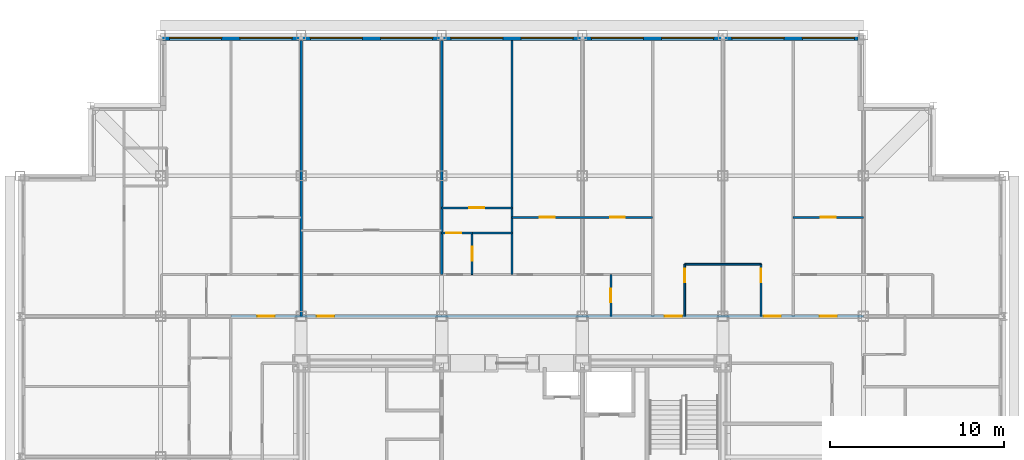
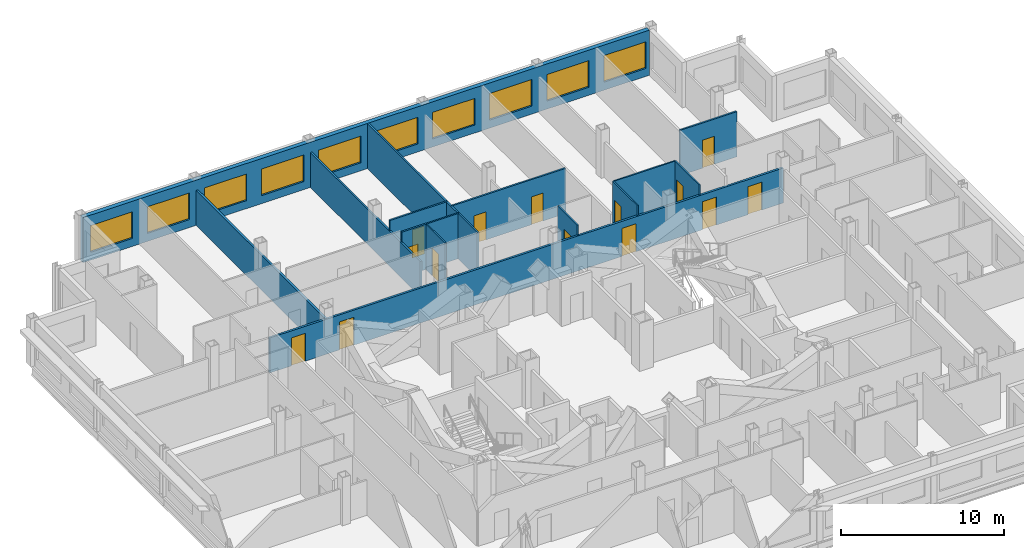
# One storey, part 10 of 12: 15 walls, 14 doors, 10 windows, 24 openings.
"""IFC4 building model written with IfcOpenShell, lengths in metres."""

import ifcopenshell
import ifcopenshell.guid

model = None  # the IFC model being written
_history = None  # IfcOwnerHistory: only IFC2X3 demands one
_inside = {}  # id of a spatial element -> (the spatial element, [elements in it])
_under = {}  # id of a project, library or spatial element -> (it, [spatial elements below it])
_declared = {}  # id of a project -> (the project, [libraries it declares])
_typed = {}  # id of a type object -> (the type object, [elements of that type])
_made_of = {}  # id of a material, layer set ... -> (it, [elements and type objects made of it])


def new_model(schema):
    """Start an empty IFC model of exactly this schema.

    Asked for "IFC4X3", IfcOpenShell would pick the latest addendum, in which some entities
    have other attributes; the version numbers below select the first issue.
    IFC2X3 requires an IfcOwnerHistory on every rooted entity: one is made here for all.
    """
    global model, _history
    if schema == "IFC4X3":
        model = ifcopenshell.file(schema_version=(4, 3, 0, 0))
    else:
        model = ifcopenshell.file(schema=schema)
    _inside.clear()
    _under.clear()
    _declared.clear()
    _typed.clear()
    _made_of.clear()
    _history = None
    if model.schema == "IFC2X3":
        org = make("IfcOrganization", Name="unknown")
        user = make(
            "IfcPersonAndOrganization",
            ThePerson=make("IfcPerson", FamilyName="unknown"),
            TheOrganization=org,
        )
        app = make(
            "IfcApplication",
            ApplicationDeveloper=org,
            Version="unknown",
            ApplicationFullName="unknown",
            ApplicationIdentifier="unknown",
        )
        _history = make(
            "IfcOwnerHistory",
            OwningUser=user,
            OwningApplication=app,
            ChangeAction="ADDED",
            CreationDate=0,
        )
    return model


def make(cls, **values):
    """One entity of the class cls with the attributes given. An attribute that is None is left unset."""
    return model.create_entity(
        cls, **{name: value for name, value in values.items() if value is not None}
    )


def rooted(cls, **values):
    """An entity with a GlobalId (a new one), such as an element, a storey or a relation."""
    return make(cls, GlobalId=ifcopenshell.guid.new(), OwnerHistory=_history, **values)


def si_unit(unit_type, name, prefix=None):
    """IfcSIUnit, for example si_unit("LENGTHUNIT", "METRE", prefix="MILLI")."""
    return make("IfcSIUnit", UnitType=unit_type, Prefix=prefix, Name=name)


def assignment(units):
    """IfcUnitAssignment: the units of a project."""
    return None if units is None else make("IfcUnitAssignment", Units=units)


def point(xyz):
    """IfcCartesianPoint."""
    return None if xyz is None else make("IfcCartesianPoint", Coordinates=xyz)


def direction(xyz):
    """IfcDirection."""
    return None if xyz is None else make("IfcDirection", DirectionRatios=xyz)


def frame(location, z_axis=None, x_axis=None):
    """IfcAxis2Placement3D, a coordinate frame: its origin and axes. An axis left out is left unset."""
    return make(
        "IfcAxis2Placement3D",
        Location=point(location),
        Axis=direction(z_axis),
        RefDirection=direction(x_axis),
    )


def frame_2d(location, x_axis=None):
    """IfcAxis2Placement2D, a coordinate frame in the plane: its origin and x axis."""
    return make(
        "IfcAxis2Placement2D", Location=point(location), RefDirection=direction(x_axis)
    )


def origin():
    """The frame at (0, 0, 0) with its axes left unset."""
    return frame((0.0, 0.0, 0.0))


def place(relative_to, where):
    """IfcLocalPlacement: puts the frame where relative to a parent placement (None: the world)."""
    return make(
        "IfcLocalPlacement", PlacementRelTo=relative_to, RelativePlacement=where
    )


def context(
    kind, dimensions, precision=None, world=None, true_north=None, identifier=None
):
    """IfcGeometricRepresentationContext, for example the 3D "Model" context."""
    return make(
        "IfcGeometricRepresentationContext",
        ContextIdentifier=identifier,
        ContextType=kind,
        CoordinateSpaceDimension=dimensions,
        Precision=precision,
        WorldCoordinateSystem=world,
        TrueNorth=true_north,
    )


def subcontext(parent, identifier, kind, view, scale=None):
    """IfcGeometricRepresentationSubContext, for example "Body" below "Model"."""
    return make(
        "IfcGeometricRepresentationSubContext",
        ContextIdentifier=identifier,
        ContextType=kind,
        ParentContext=parent,
        TargetScale=scale,
        TargetView=view,
    )


def project(units=None, contexts=None):
    """IfcProject with its units and contexts."""
    return rooted(
        "IfcProject",
        Name="project",
        RepresentationContexts=contexts,
        UnitsInContext=assignment(units),
    )


def spatial(cls, under=None, at=None, **own):
    """A site, building, storey or space (cls), placed at a placement, below another one or the project."""
    s = rooted(cls, ObjectPlacement=at, **own)
    if under is not None:
        _under.setdefault(under.id(), (under, []))[1].append(s)
    return s


def profile(cls, at=None, kind="AREA", **sizes):
    """A parametric profile (cls). Its sizes go by their IFC names, for example OverallWidth=200.0."""
    return make(cls, ProfileType=kind, Position=at, **sizes)


def rectangle(**sizes):
    """IfcRectangleProfileDef."""
    return profile("IfcRectangleProfileDef", **sizes)


def extrude(swept, where, along, depth):
    """IfcExtrudedAreaSolid: the profile swept, set in the frame where, extruded along a direction by depth."""
    return make(
        "IfcExtrudedAreaSolid",
        SweptArea=swept,
        Position=where,
        ExtrudedDirection=direction(along),
        Depth=depth,
    )


def shape(context_of_items, identifier, shape_type, items):
    """IfcShapeRepresentation: the items that make up one representation, for example the "Body"."""
    return make(
        "IfcShapeRepresentation",
        ContextOfItems=context_of_items,
        RepresentationIdentifier=identifier,
        RepresentationType=shape_type,
        Items=items,
    )


def material(Name=None, Category=None):
    """IfcMaterial."""
    return make("IfcMaterial", Name=Name, Category=Category)


def layer(
    of_material, thickness, ventilated=None, Name=None, Category=None, Priority=None
):
    """IfcMaterialLayer: one layer of a wall or slab, of a material (None: an air gap)."""
    return make(
        "IfcMaterialLayer",
        Material=of_material,
        LayerThickness=thickness,
        IsVentilated=ventilated,
        Name=Name,
        Category=Category,
        Priority=Priority,
    )


def layer_set(layers, Name=None):
    """IfcMaterialLayerSet."""
    return make("IfcMaterialLayerSet", MaterialLayers=layers, LayerSetName=Name)


def made_of(thing, what):
    """Note that an element or type object is made of a material, layer set ...; save() writes the relation."""
    if what is not None:
        _made_of.setdefault(what.id(), (what, []))[1].append(thing)
    return thing


def type_object(cls, material=None, **own):
    """A type object (cls), such as IfcWallType, which elements share."""
    return made_of(rooted(cls, **own), material)


def element(
    cls,
    number,
    at=None,
    inside=None,
    cuts=None,
    type_object=None,
    material=None,
    context=None,
    identifier="Body",
    shape_type=None,
    held_by="IfcProductDefinitionShape",
    body=None,
    shapes=None,
    **own,
):
    """One element of the class cls, such as IfcWall. Its Tag is "e" and its number.

    at: its placement. inside: the storey or other place that contains it. cuts: it is an
    opening in that element (IfcRelVoidsElement). A single representation is given by context,
    identifier, shape_type and body (its items); several are given by shapes. held_by: the class
    of the entity that holds the representations. save() writes the other relations.
    """
    e = rooted(cls, Tag="e%d" % number, ObjectPlacement=at, **own)
    if body is not None:
        shapes = [shape(context, identifier, shape_type, body)]
    if shapes is not None:
        e.Representation = make(held_by, Representations=shapes)
    if inside is not None:
        _inside.setdefault(inside.id(), (inside, []))[1].append(e)
    if cuts is not None:
        rooted(
            "IfcRelVoidsElement", RelatingBuildingElement=cuts, RelatedOpeningElement=e
        )
    if type_object is not None:
        _typed.setdefault(type_object.id(), (type_object, []))[1].append(e)
    return made_of(e, material)


def fill(opening, filler):
    """IfcRelFillsElement: the door or window that sits in an opening."""
    return rooted(
        "IfcRelFillsElement",
        RelatingOpeningElement=opening,
        RelatedBuildingElement=filler,
    )


def aggregate(whole, parts):
    """IfcRelAggregates: a whole, such as a stair, and the parts it consists of."""
    return rooted("IfcRelAggregates", RelatingObject=whole, RelatedObjects=parts)


def save(model, path):
    """Write the relations noted so far, then the file.

    IfcRelAggregates (storeys below a building ...), IfcRelContainedInSpatialStructure (elements
    in a storey), IfcRelDefinesByType, IfcRelAssociatesMaterial and IfcRelDeclares: one each for
    every whole, place, type object, material and project.
    """
    for whole, parts in _under.values():
        aggregate(whole, parts)
    for where, things in _inside.values():
        rooted(
            "IfcRelContainedInSpatialStructure",
            RelatedElements=things,
            RelatingStructure=where,
        )
    for kind, things in _typed.values():
        rooted("IfcRelDefinesByType", RelatedObjects=things, RelatingType=kind)
    for what, things in _made_of.values():
        rooted("IfcRelAssociatesMaterial", RelatedObjects=things, RelatingMaterial=what)
    for by, libraries in _declared.values():
        rooted("IfcRelDeclares", RelatingContext=by, RelatedDefinitions=libraries)
    model.write(path)


model = new_model("IFC4")

# Units and contexts
model_context = context("Model", 3, precision=1e-05, world=origin(), true_north=direction((0.0, 1.0)))
body_context = subcontext(model_context, "Body", "Model", "MODEL_VIEW")
ifc_project = project(units=[si_unit("LENGTHUNIT", "METRE"), si_unit("AREAUNIT", "SQUARE_METRE"), si_unit("VOLUMEUNIT", "CUBIC_METRE"), si_unit("PLANEANGLEUNIT", "RADIAN"), si_unit("MASSUNIT", "GRAM", prefix="KILO")], contexts=[model_context])

# Site, building, storey
site_placement = place(None, origin())
site = spatial("IfcSite", under=ifc_project, at=site_placement, CompositionType="ELEMENT")
building_placement = place(site_placement, origin())
building = spatial("IfcBuilding", under=site, at=building_placement, Name="Kopane Lantern Tower", CompositionType="ELEMENT")
storey_placement = place(building_placement, frame((0.0, 0.0, 220.800048828125)))
storey = spatial("IfcBuildingStorey", under=building, at=storey_placement, Name="L57", CompositionType="ELEMENT", Elevation=220.800048828125)

# Walls
ifc_material_1 = material(Name="Gypsum board on steel studs", Category="steel")
ifc_layer_1 = layer(ifc_material_1, 0.1201171875)
ifc_layer_set_1 = layer_set([ifc_layer_1], Name="APARTMENT INTERNAL WALL 120")
wall_type_1 = type_object("IfcWallType", Name="APARTMENT INTERNAL WALL 120", PredefinedType="PARTITIONING", material=ifc_layer_set_1)
wall_1_placement = place(storey_placement, frame((24.300048828125, 45.60009765625, 0.0), z_axis=(0.0, 0.0, 1.0), x_axis=(0.0, 1.0, 0.0)))
element("IfcWall", 1, at=wall_1_placement, inside=storey, type_object=wall_type_1, Name="Apartment Internal Wall 120 L57", PredefinedType="PARTITIONING", context=body_context, shape_type="SweptSolid", body=[
    extrude(rectangle(XDim=13.5, YDim=0.1201171875, at=frame_2d((6.75, 0.0))), origin(), (0.0, 0.0, 1.0), 2.627685546875),
])
wall_2_placement = place(storey_placement, frame((28.35009765625, 45.60009765625, 0.0), z_axis=(0.0, 0.0, 1.0), x_axis=(0.0, 1.0, 0.0)))
element("IfcWall", 2, at=wall_2_placement, inside=storey, type_object=wall_type_1, Name="Apartment Internal Wall 120 L57", PredefinedType="PARTITIONING", context=body_context, shape_type="SweptSolid", body=[
    extrude(rectangle(XDim=13.5, YDim=0.1201171875, at=frame_2d((6.75, 0.0))), origin(), (0.0, 0.0, 1.0), 3.389892578125),
])

# Wall, opening, door
wall_3_placement = place(storey_placement, frame((24.300048828125, 48.0, 0.0), z_axis=(0.0, 0.0, 1.0), x_axis=(1.0, 0.0, 0.0)))
wall_3 = element("IfcWall", 3, at=wall_3_placement, inside=storey, type_object=wall_type_1, Name="Apartment Internal Wall 120 L57", PredefinedType="PARTITIONING", context=body_context, shape_type="SweptSolid", body=[
    extrude(rectangle(XDim=1.760009765625, YDim=0.1201171875, at=frame_2d((0.8798828125, 0.0))), origin(), (0.0, 0.0, 1.0), 3.389892578125),
])
opening_1_placement = place(wall_3_placement, frame((0.27490234375, 0.0, 0.0)))
opening_1 = element("IfcOpeningElement", 4, at=opening_1_placement, cuts=wall_3, Name="Opening L57-070", PredefinedType="OPENING", context=body_context, shape_type="SweptSolid", body=[
    extrude(rectangle(XDim=0.85009765625, YDim=2.10009765625, at=frame_2d((0.425048828125, 1.050048828125))), frame((0.0, 0.070068359375, 0.0), z_axis=(0.0, -1.0, 0.0), x_axis=(1.0, 0.0, 0.0)), (0.0, 0.0, 1.0), 0.14013671875),
])
ifc_material_2 = material(Name="Timber door set", Category="wood")
door_type_1 = type_object("IfcDoorType", Name="DOOR D4 850x2100", OperationType="SINGLE_SWING_LEFT", PredefinedType="DOOR", material=ifc_material_2)
door_1_placement = place(opening_1_placement, origin())
door_1 = element("IfcDoor", 5, at=door_1_placement, inside=storey, type_object=door_type_1, Name="Door L57-070", OperationType="SINGLE_SWING_LEFT", OverallHeight=2.10009765625, OverallWidth=0.85009765625, PredefinedType="DOOR", context=body_context, shape_type="SweptSolid", body=[
    extrude(rectangle(XDim=0.85009765625, YDim=2.10009765625, at=frame_2d((0.425048828125, 1.050048828125))), frame((0.0, 0.02490234375, 0.0), z_axis=(0.0, -1.0, 0.0), x_axis=(1.0, 0.0, 0.0)), (0.0, 0.0, 1.0), 0.050048828125),
])
fill(opening_1, door_1)

wall_4_placement = place(storey_placement, frame((24.300048828125, 49.449951171875, 0.0), z_axis=(0.0, 0.0, 1.0), x_axis=(1.0, 0.0, 0.0)))
wall_4 = element("IfcWall", 6, at=wall_4_placement, inside=storey, type_object=wall_type_1, Name="Apartment Internal Wall 120 L57", PredefinedType="PARTITIONING", context=body_context, shape_type="SweptSolid", body=[
    extrude(rectangle(XDim=4.050048828125, YDim=0.1201171875, at=frame_2d((2.02490234375, 0.0))), origin(), (0.0, 0.0, 1.0), 3.389892578125),
])
opening_2_placement = place(wall_4_placement, frame((1.60009765625, 0.0, 0.0)))
opening_2 = element("IfcOpeningElement", 7, at=opening_2_placement, cuts=wall_4, Name="Opening L57-074", PredefinedType="OPENING", context=body_context, shape_type="SweptSolid", body=[
    extrude(rectangle(XDim=0.85009765625, YDim=2.10009765625, at=frame_2d((0.425048828125, 1.050048828125))), frame((0.0, 0.070068359375, 0.0), z_axis=(0.0, -1.0, 0.0), x_axis=(1.0, 0.0, 0.0)), (0.0, 0.0, 1.0), 0.14013671875),
])
door_2_placement = place(opening_2_placement, origin())
door_2 = element("IfcDoor", 8, at=door_2_placement, inside=storey, type_object=door_type_1, Name="Door L57-074", OperationType="SINGLE_SWING_RIGHT", OverallHeight=2.10009765625, OverallWidth=0.85009765625, PredefinedType="DOOR", context=body_context, shape_type="SweptSolid", body=[
    extrude(rectangle(XDim=0.85009765625, YDim=2.10009765625, at=frame_2d((0.425048828125, 1.050048828125))), frame((0.0, 0.02490234375, 0.0), z_axis=(0.0, -1.0, 0.0), x_axis=(1.0, 0.0, 0.0)), (0.0, 0.0, 1.0), 0.050048828125),
])
fill(opening_2, door_2)

# Wall, openings, doors
wall_5_placement = place(storey_placement, frame((28.35009765625, 48.89990234375, 0.0), z_axis=(0.0, 0.0, 1.0), x_axis=(1.0, 0.0, 0.0)))
wall_5 = element("IfcWall", 9, at=wall_5_placement, inside=storey, type_object=wall_type_1, Name="Apartment Internal Wall 120 L57", PredefinedType="PARTITIONING", context=body_context, shape_type="SweptSolid", body=[
    extrude(rectangle(XDim=8.099853515625, YDim=0.1201171875, at=frame_2d((4.0498046875, 0.0))), origin(), (0.0, 0.0, 1.0), 3.389892578125),
])
opening_3_placement = place(wall_5_placement, frame((1.60009765625, 0.0, 0.0)))
opening_3 = element("IfcOpeningElement", 10, at=opening_3_placement, cuts=wall_5, Name="Opening L57-075", PredefinedType="OPENING", context=body_context, shape_type="SweptSolid", body=[
    extrude(rectangle(XDim=0.85009765625, YDim=2.10009765625, at=frame_2d((0.425048828125, 1.050048828125))), frame((0.0, 0.070068359375, 0.0), z_axis=(0.0, -1.0, 0.0), x_axis=(1.0, 0.0, 0.0)), (0.0, 0.0, 1.0), 0.14013671875),
])
opening_4_placement = place(wall_5_placement, frame((5.64990234375, 0.0, 0.0)))
opening_4 = element("IfcOpeningElement", 11, at=opening_4_placement, cuts=wall_5, Name="Opening L57-076", PredefinedType="OPENING", context=body_context, shape_type="SweptSolid", body=[
    extrude(rectangle(XDim=0.85009765625, YDim=2.10009765625, at=frame_2d((0.425048828125, 1.050048828125))), frame((0.0, 0.070068359375, 0.0), z_axis=(0.0, -1.0, 0.0), x_axis=(1.0, 0.0, 0.0)), (0.0, 0.0, 1.0), 0.14013671875),
])
door_3_placement = place(opening_3_placement, origin())
door_3 = element("IfcDoor", 12, at=door_3_placement, inside=storey, type_object=door_type_1, Name="Door L57-075", OperationType="SINGLE_SWING_RIGHT", OverallHeight=2.10009765625, OverallWidth=0.85009765625, PredefinedType="DOOR", context=body_context, shape_type="SweptSolid", body=[
    extrude(rectangle(XDim=0.85009765625, YDim=2.10009765625, at=frame_2d((0.425048828125, 1.050048828125))), frame((0.0, 0.02490234375, 0.0), z_axis=(0.0, -1.0, 0.0), x_axis=(1.0, 0.0, 0.0)), (0.0, 0.0, 1.0), 0.050048828125),
])
fill(opening_3, door_3)
door_4_placement = place(opening_4_placement, origin())
door_4 = element("IfcDoor", 13, at=door_4_placement, inside=storey, type_object=door_type_1, Name="Door L57-076", OperationType="SINGLE_SWING_LEFT", OverallHeight=2.10009765625, OverallWidth=0.85009765625, PredefinedType="DOOR", context=body_context, shape_type="SweptSolid", body=[
    extrude(rectangle(XDim=0.85009765625, YDim=2.10009765625, at=frame_2d((0.425048828125, 1.050048828125))), frame((0.0, 0.02490234375, 0.0), z_axis=(0.0, -1.0, 0.0), x_axis=(1.0, 0.0, 0.0)), (0.0, 0.0, 1.0), 0.050048828125),
])
fill(opening_4, door_4)

# Wall, opening, door
wall_6_placement = place(storey_placement, frame((44.550048828125, 48.89990234375, 0.0), z_axis=(0.0, 0.0, 1.0), x_axis=(1.0, 0.0, 0.0)))
wall_6 = element("IfcWall", 14, at=wall_6_placement, inside=storey, type_object=wall_type_1, Name="Apartment Internal Wall 120 L57", PredefinedType="PARTITIONING", context=body_context, shape_type="SweptSolid", body=[
    extrude(rectangle(XDim=4.050048828125, YDim=0.1201171875, at=frame_2d((2.02490234375, 0.0))), origin(), (0.0, 0.0, 1.0), 3.389892578125),
])
opening_5_placement = place(wall_6_placement, frame((1.60009765625, 0.0, 0.0)))
opening_5 = element("IfcOpeningElement", 15, at=opening_5_placement, cuts=wall_6, Name="Opening L57-077", PredefinedType="OPENING", context=body_context, shape_type="SweptSolid", body=[
    extrude(rectangle(XDim=0.85009765625, YDim=2.10009765625, at=frame_2d((0.425048828125, 1.050048828125))), frame((0.0, 0.070068359375, 0.0), z_axis=(0.0, -1.0, 0.0), x_axis=(1.0, 0.0, 0.0)), (0.0, 0.0, 1.0), 0.14013671875),
])
door_5_placement = place(opening_5_placement, origin())
door_5 = element("IfcDoor", 16, at=door_5_placement, inside=storey, type_object=door_type_1, Name="Door L57-077", OperationType="SINGLE_SWING_RIGHT", OverallHeight=2.10009765625, OverallWidth=0.85009765625, PredefinedType="DOOR", context=body_context, shape_type="SweptSolid", body=[
    extrude(rectangle(XDim=0.85009765625, YDim=2.10009765625, at=frame_2d((0.425048828125, 1.050048828125))), frame((0.0, 0.02490234375, 0.0), z_axis=(0.0, -1.0, 0.0), x_axis=(1.0, 0.0, 0.0)), (0.0, 0.0, 1.0), 0.050048828125),
])
fill(opening_5, door_5)

ifc_material_3 = material(Name="Moisture-resistant board on steel studs", Category="steel")
ifc_layer_2 = layer(ifc_material_3, 0.10009765625)
ifc_layer_set_2 = layer_set([ifc_layer_2], Name="BATHROOM WALL 100")
wall_type_2 = type_object("IfcWallType", Name="BATHROOM WALL 100", PredefinedType="PARTITIONING", material=ifc_layer_set_2)
wall_7_placement = place(storey_placement, frame((34.050048828125, 43.199951171875, 0.0), z_axis=(0.0, 0.0, 1.0), x_axis=(0.0, 1.0, 0.0)))
wall_7 = element("IfcWall", 17, at=wall_7_placement, inside=storey, type_object=wall_type_2, Name="Bathroom Wall 100 L57", PredefinedType="PARTITIONING", context=body_context, shape_type="SweptSolid", body=[
    extrude(rectangle(XDim=2.400146484375, YDim=0.10009765625, at=frame_2d((1.2001953125, 0.0))), origin(), (0.0, 0.0, 1.0), 3.389892578125),
])
opening_6_placement = place(wall_7_placement, frame((0.800048828125, 0.0, 0.0)))
opening_6 = element("IfcOpeningElement", 18, at=opening_6_placement, cuts=wall_7, Name="Opening L57-024", PredefinedType="OPENING", context=body_context, shape_type="SweptSolid", body=[
    extrude(rectangle(XDim=0.800048828125, YDim=2.10009765625, at=frame_2d((0.39990234375, 1.050048828125))), frame((0.0, 0.06005859375, 0.0), z_axis=(0.0, -1.0, 0.0), x_axis=(1.0, 0.0, 0.0)), (0.0, 0.0, 1.0), 0.1201171875),
])
ifc_material_4 = material(Name="Timber door set", Category="wood")
door_type_2 = type_object("IfcDoorType", Name="DOOR D2 800x2100", OperationType="SINGLE_SWING_LEFT", PredefinedType="DOOR", material=ifc_material_4)
door_6_placement = place(opening_6_placement, origin())
door_6 = element("IfcDoor", 19, at=door_6_placement, inside=storey, type_object=door_type_2, Name="Door L57-024", OperationType="SINGLE_SWING_RIGHT", OverallHeight=2.10009765625, OverallWidth=0.800048828125, PredefinedType="DOOR", context=body_context, shape_type="SweptSolid", body=[
    extrude(rectangle(XDim=0.800048828125, YDim=2.10009765625, at=frame_2d((0.39990234375, 1.050048828125))), frame((0.0, 0.02490234375, 0.0), z_axis=(0.0, -1.0, 0.0), x_axis=(1.0, 0.0, 0.0)), (0.0, 0.0, 1.0), 0.050048828125),
])
fill(opening_6, door_6)

wall_8_placement = place(storey_placement, frame((26.050048828125, 45.60009765625, 0.0), z_axis=(0.0, 0.0, 1.0), x_axis=(0.0, 1.0, 0.0)))
wall_8 = element("IfcWall", 20, at=wall_8_placement, inside=storey, type_object=wall_type_2, Name="Bathroom Wall 100 L57", PredefinedType="PARTITIONING", context=body_context, shape_type="SweptSolid", body=[
    extrude(rectangle(XDim=2.39990234375, YDim=0.10009765625, at=frame_2d((1.199951171875, 0.0))), origin(), (0.0, 0.0, 1.0), 3.389892578125),
])
opening_7_placement = place(wall_8_placement, frame((0.800048828125, 0.0, 0.0)))
opening_7 = element("IfcOpeningElement", 21, at=opening_7_placement, cuts=wall_8, Name="Opening L57-027", PredefinedType="OPENING", context=body_context, shape_type="SweptSolid", body=[
    extrude(rectangle(XDim=0.800048828125, YDim=2.10009765625, at=frame_2d((0.39990234375, 1.050048828125))), frame((0.0, 0.06005859375, 0.0), z_axis=(0.0, -1.0, 0.0), x_axis=(1.0, 0.0, 0.0)), (0.0, 0.0, 1.0), 0.1201171875),
])
door_7_placement = place(opening_7_placement, origin())
door_7 = element("IfcDoor", 22, at=door_7_placement, inside=storey, type_object=door_type_2, Name="Door L57-027", OperationType="SINGLE_SWING_RIGHT", OverallHeight=2.10009765625, OverallWidth=0.800048828125, PredefinedType="DOOR", context=body_context, shape_type="SweptSolid", body=[
    extrude(rectangle(XDim=0.800048828125, YDim=2.10009765625, at=frame_2d((0.39990234375, 1.050048828125))), frame((0.0, 0.02490234375, 0.0), z_axis=(0.0, -1.0, 0.0), x_axis=(1.0, 0.0, 0.0)), (0.0, 0.0, 1.0), 0.050048828125),
])
fill(opening_7, door_7)

# Walls
wall_9_placement = place(storey_placement, frame((26.050048828125, 48.0, 0.0), z_axis=(0.0, 0.0, 1.0), x_axis=(1.0, 0.0, 0.0)))
element("IfcWall", 23, at=wall_9_placement, inside=storey, type_object=wall_type_2, Name="Bathroom Wall 100 L57", PredefinedType="PARTITIONING", context=body_context, shape_type="SweptSolid", body=[
    extrude(rectangle(XDim=2.300048828125, YDim=0.10009765625, at=frame_2d((1.14990234375, 0.0))), origin(), (0.0, 0.0, 1.0), 3.389892578125),
])
wall_10_placement = place(storey_placement, frame((38.300048828125, 46.199951171875, 0.0), z_axis=(0.0, 0.0, 1.0), x_axis=(1.0, 0.0, 0.0)))
element("IfcWall", 24, at=wall_10_placement, inside=storey, type_object=wall_type_2, Name="Bathroom Wall 100 L57", PredefinedType="PARTITIONING", context=body_context, shape_type="SweptSolid", body=[
    extrude(rectangle(XDim=4.39990234375, YDim=0.10009765625, at=frame_2d((2.199951171875, 0.0))), origin(), (0.0, 0.0, 1.0), 3.389892578125),
])

# Wall, opening, door
wall_11_placement = place(storey_placement, frame((38.300048828125, 43.199951171875, 0.0), z_axis=(0.0, 0.0, 1.0), x_axis=(0.0, 1.0, 0.0)))
wall_11 = element("IfcWall", 25, at=wall_11_placement, inside=storey, type_object=wall_type_2, Name="Bathroom Wall 100 L57", PredefinedType="PARTITIONING", context=body_context, shape_type="SweptSolid", body=[
    extrude(rectangle(XDim=3.0, YDim=0.10009765625, at=frame_2d((1.5, 0.0))), origin(), (0.0, 0.0, 1.0), 3.389892578125),
])
opening_8_placement = place(wall_11_placement, frame((1.949951171875, 0.0, 0.0)))
opening_8 = element("IfcOpeningElement", 26, at=opening_8_placement, cuts=wall_11, Name="Opening L57-031", PredefinedType="OPENING", context=body_context, shape_type="SweptSolid", body=[
    extrude(rectangle(XDim=0.800048828125, YDim=2.10009765625, at=frame_2d((0.39990234375, 1.050048828125))), frame((0.0, 0.06005859375, 0.0), z_axis=(0.0, -1.0, 0.0), x_axis=(1.0, 0.0, 0.0)), (0.0, 0.0, 1.0), 0.1201171875),
])
door_8_placement = place(opening_8_placement, origin())
door_8 = element("IfcDoor", 27, at=door_8_placement, inside=storey, type_object=door_type_2, Name="Door L57-031", OperationType="SINGLE_SWING_LEFT", OverallHeight=2.10009765625, OverallWidth=0.800048828125, PredefinedType="DOOR", context=body_context, shape_type="SweptSolid", body=[
    extrude(rectangle(XDim=0.800048828125, YDim=2.10009765625, at=frame_2d((0.39990234375, 1.050048828125))), frame((0.0, 0.02490234375, 0.0), z_axis=(0.0, -1.0, 0.0), x_axis=(1.0, 0.0, 0.0)), (0.0, 0.0, 1.0), 0.050048828125),
])
fill(opening_8, door_8)

wall_12_placement = place(storey_placement, frame((42.699951171875, 43.199951171875, 0.0), z_axis=(0.0, 0.0, 1.0), x_axis=(0.0, 1.0, 0.0)))
wall_12 = element("IfcWall", 28, at=wall_12_placement, inside=storey, type_object=wall_type_2, Name="Bathroom Wall 100 L57", PredefinedType="PARTITIONING", context=body_context, shape_type="SweptSolid", body=[
    extrude(rectangle(XDim=3.0, YDim=0.10009765625, at=frame_2d((1.5, 0.0))), origin(), (0.0, 0.0, 1.0), 3.389892578125),
])
opening_9_placement = place(wall_12_placement, frame((1.949951171875, 0.0, 0.0)))
opening_9 = element("IfcOpeningElement", 29, at=opening_9_placement, cuts=wall_12, Name="Opening L57-033", PredefinedType="OPENING", context=body_context, shape_type="SweptSolid", body=[
    extrude(rectangle(XDim=0.800048828125, YDim=2.10009765625, at=frame_2d((0.39990234375, 1.050048828125))), frame((0.0, 0.06005859375, 0.0), z_axis=(0.0, -1.0, 0.0), x_axis=(1.0, 0.0, 0.0)), (0.0, 0.0, 1.0), 0.1201171875),
])
door_9_placement = place(opening_9_placement, origin())
door_9 = element("IfcDoor", 30, at=door_9_placement, inside=storey, type_object=door_type_2, Name="Door L57-033", OperationType="SINGLE_SWING_RIGHT", OverallHeight=2.10009765625, OverallWidth=0.800048828125, PredefinedType="DOOR", context=body_context, shape_type="SweptSolid", body=[
    extrude(rectangle(XDim=0.800048828125, YDim=2.10009765625, at=frame_2d((0.39990234375, 1.050048828125))), frame((0.0, 0.02490234375, 0.0), z_axis=(0.0, -1.0, 0.0), x_axis=(1.0, 0.0, 0.0)), (0.0, 0.0, 1.0), 0.050048828125),
])
fill(opening_9, door_9)

# Wall, openings, doors
ifc_material_5 = material(Name="Gypsum board on steel studs", Category="steel")
ifc_layer_3 = layer(ifc_material_5, 0.14990234375)
ifc_layer_set_3 = layer_set([ifc_layer_3], Name="CORRIDOR WALL 150 EI 60")
wall_type_3 = type_object("IfcWallType", Name="CORRIDOR WALL 150 EI 60", PredefinedType="PARTITIONING", material=ifc_layer_set_3)
wall_13_placement = place(storey_placement, frame((12.14990234375, 43.199951171875, 0.0), z_axis=(0.0, 0.0, 1.0), x_axis=(1.0, 0.0, 0.0)))
wall_13 = element("IfcWall", 31, at=wall_13_placement, inside=storey, type_object=wall_type_3, Name="Corridor Wall 150 Ei 60 L57", PredefinedType="PARTITIONING", context=body_context, shape_type="SweptSolid", body=[
    extrude(rectangle(XDim=36.4501953125, YDim=0.14990234375, at=frame_2d((18.22509765625, 0.0))), origin(), (0.0, 0.0, 1.0), 2.627685546875),
])
opening_10_placement = place(wall_13_placement, frame((4.949951171875, 0.0, 0.0)))
opening_10 = element("IfcOpeningElement", 32, at=opening_10_placement, cuts=wall_13, Name="Opening L57-025", PredefinedType="OPENING", context=body_context, shape_type="SweptSolid", body=[
    extrude(rectangle(XDim=1.0, YDim=2.10009765625, at=frame_2d((0.5, 1.050048828125))), frame((0.0, 0.0849609375, 0.0), z_axis=(0.0, -1.0, 0.0), x_axis=(1.0, 0.0, 0.0)), (0.0, 0.0, 1.0), 0.169921875),
])
opening_11_placement = place(wall_13_placement, frame((25.0, 0.0, 0.0)))
opening_11 = element("IfcOpeningElement", 33, at=opening_11_placement, cuts=wall_13, Name="Opening L57-032", PredefinedType="OPENING", context=body_context, shape_type="SweptSolid", body=[
    extrude(rectangle(XDim=1.0, YDim=2.10009765625, at=frame_2d((0.5, 1.050048828125))), frame((0.0, 0.0849609375, 0.0), z_axis=(0.0, -1.0, 0.0), x_axis=(1.0, 0.0, 0.0)), (0.0, 0.0, 1.0), 0.169921875),
])
opening_12_placement = place(wall_13_placement, frame((30.699951171875, 0.0, 0.0)))
opening_12 = element("IfcOpeningElement", 34, at=opening_12_placement, cuts=wall_13, Name="Opening L57-034", PredefinedType="OPENING", context=body_context, shape_type="SweptSolid", body=[
    extrude(rectangle(XDim=1.0, YDim=2.10009765625, at=frame_2d((0.5, 1.050048828125))), frame((0.0, 0.0849609375, 0.0), z_axis=(0.0, -1.0, 0.0), x_axis=(1.0, 0.0, 0.0)), (0.0, 0.0, 1.0), 0.169921875),
])
opening_13_placement = place(wall_13_placement, frame((33.925048828125, 0.0, 0.0)))
opening_13 = element("IfcOpeningElement", 35, at=opening_13_placement, cuts=wall_13, Name="Opening L57-061", PredefinedType="OPENING", context=body_context, shape_type="SweptSolid", body=[
    extrude(rectangle(XDim=1.0, YDim=2.10009765625, at=frame_2d((0.5, 1.050048828125))), frame((0.0, 0.0849609375, 0.0), z_axis=(0.0, -1.0, 0.0), x_axis=(1.0, 0.0, 0.0)), (0.0, 0.0, 1.0), 0.169921875),
])
opening_14_placement = place(wall_13_placement, frame((1.52490234375, 0.0, 0.0)))
opening_14 = element("IfcOpeningElement", 36, at=opening_14_placement, cuts=wall_13, Name="Opening L57-065", PredefinedType="OPENING", context=body_context, shape_type="SweptSolid", body=[
    extrude(rectangle(XDim=1.0, YDim=2.10009765625, at=frame_2d((0.5, 1.050048828125))), frame((0.0, 0.0849609375, 0.0), z_axis=(0.0, -1.0, 0.0), x_axis=(1.0, 0.0, 0.0)), (0.0, 0.0, 1.0), 0.169921875),
])
ifc_material_6 = material(Name="Steel door set", Category="steel")
door_type_3 = type_object("IfcDoorType", Name="DOOR D3 1000x2100 FD30S", OperationType="SINGLE_SWING_LEFT", PredefinedType="DOOR", material=ifc_material_6)
door_10_placement = place(opening_10_placement, origin())
door_10 = element("IfcDoor", 37, at=door_10_placement, inside=storey, type_object=door_type_3, Name="Door L57-025", OperationType="SINGLE_SWING_LEFT", OverallHeight=2.10009765625, OverallWidth=1.0, PredefinedType="DOOR", context=body_context, shape_type="SweptSolid", body=[
    extrude(rectangle(XDim=1.0, YDim=2.10009765625, at=frame_2d((0.5, 1.050048828125))), frame((0.0, 0.02490234375, 0.0), z_axis=(0.0, -1.0, 0.0), x_axis=(1.0, 0.0, 0.0)), (0.0, 0.0, 1.0), 0.050048828125),
])
fill(opening_10, door_10)
door_11_placement = place(opening_11_placement, origin())
door_11 = element("IfcDoor", 38, at=door_11_placement, inside=storey, type_object=door_type_3, Name="Door L57-032", OperationType="SINGLE_SWING_RIGHT", OverallHeight=2.10009765625, OverallWidth=1.0, PredefinedType="DOOR", context=body_context, shape_type="SweptSolid", body=[
    extrude(rectangle(XDim=1.0, YDim=2.10009765625, at=frame_2d((0.5, 1.050048828125))), frame((0.0, 0.02490234375, 0.0), z_axis=(0.0, -1.0, 0.0), x_axis=(1.0, 0.0, 0.0)), (0.0, 0.0, 1.0), 0.050048828125),
])
fill(opening_11, door_11)
door_12_placement = place(opening_12_placement, origin())
door_12 = element("IfcDoor", 39, at=door_12_placement, inside=storey, type_object=door_type_3, Name="Door L57-034", OperationType="SINGLE_SWING_LEFT", OverallHeight=2.10009765625, OverallWidth=1.0, PredefinedType="DOOR", context=body_context, shape_type="SweptSolid", body=[
    extrude(rectangle(XDim=1.0, YDim=2.10009765625, at=frame_2d((0.5, 1.050048828125))), frame((0.0, 0.02490234375, 0.0), z_axis=(0.0, -1.0, 0.0), x_axis=(1.0, 0.0, 0.0)), (0.0, 0.0, 1.0), 0.050048828125),
])
fill(opening_12, door_12)
door_13_placement = place(opening_13_placement, origin())
door_13 = element("IfcDoor", 40, at=door_13_placement, inside=storey, type_object=door_type_3, Name="Door L57-061", OperationType="SINGLE_SWING_LEFT", OverallHeight=2.10009765625, OverallWidth=1.0, PredefinedType="DOOR", context=body_context, shape_type="SweptSolid", body=[
    extrude(rectangle(XDim=1.0, YDim=2.10009765625, at=frame_2d((0.5, 1.050048828125))), frame((0.0, 0.02490234375, 0.0), z_axis=(0.0, -1.0, 0.0), x_axis=(1.0, 0.0, 0.0)), (0.0, 0.0, 1.0), 0.050048828125),
])
fill(opening_13, door_13)
door_14_placement = place(opening_14_placement, origin())
door_14 = element("IfcDoor", 41, at=door_14_placement, inside=storey, type_object=door_type_3, Name="Door L57-065", OperationType="SINGLE_SWING_RIGHT", OverallHeight=2.10009765625, OverallWidth=1.0, PredefinedType="DOOR", context=body_context, shape_type="SweptSolid", body=[
    extrude(rectangle(XDim=1.0, YDim=2.10009765625, at=frame_2d((0.5, 1.050048828125))), frame((0.0, 0.02490234375, 0.0), z_axis=(0.0, -1.0, 0.0), x_axis=(1.0, 0.0, 0.0)), (0.0, 0.0, 1.0), 0.050048828125),
])
fill(opening_14, door_14)

# Wall
ifc_material_7 = material(Name="Gypsum board on steel studs", Category="steel")
ifc_layer_4 = layer(ifc_material_7, 0.14990234375)
ifc_layer_set_4 = layer_set([ifc_layer_4], Name="DEMISING WALL 150 EI 60")
wall_type_4 = type_object("IfcWallType", Name="DEMISING WALL 150 EI 60", PredefinedType="PARTITIONING", material=ifc_layer_set_4)
wall_14_placement = place(storey_placement, frame((16.199951171875, 43.199951171875, 0.0), z_axis=(0.0, 0.0, 1.0), x_axis=(0.0, 1.0, 0.0)))
element("IfcWall", 42, at=wall_14_placement, inside=storey, type_object=wall_type_4, Name="Demising Wall 150 Ei 60 L57", PredefinedType="PARTITIONING", context=body_context, shape_type="SweptSolid", body=[
    extrude(rectangle(XDim=15.900146484375, YDim=0.14990234375, at=frame_2d((7.9501953125, 0.0))), origin(), (0.0, 0.0, 1.0), 2.627685546875),
])

# Wall, openings, windows
ifc_material_8 = material(Name="Terracotta rainscreen on light steel framing", Category="masonry")
ifc_layer_5 = layer(ifc_material_8, 0.300048828125)
ifc_layer_set_5 = layer_set([ifc_layer_5], Name="EXTERNAL WALL EW1 300 TERRACOTTA")
wall_type_5 = type_object("IfcWallType", Name="EXTERNAL WALL EW1 300 TERRACOTTA", PredefinedType="SOLIDWALL", material=ifc_layer_set_5)
wall_15_placement = place(storey_placement, frame((48.300048828125, 59.25, 0.0), z_axis=(0.0, 0.0, 1.0), x_axis=(-1.0, 0.0, 0.0)))
wall_15 = element("IfcWall", 43, at=wall_15_placement, inside=storey, type_object=wall_type_5, Name="External wall N L57", PredefinedType="SOLIDWALL", context=body_context, shape_type="SweptSolid", body=[
    extrude(rectangle(XDim=40.199951171875, YDim=0.300048828125, at=frame_2d((20.10009765625, 0.0))), origin(), (0.0, 0.0, 1.0), 3.389892578125),
])
opening_15_placement = place(wall_15_placement, frame((0.22509765625, 0.0, 0.60009765625)))
opening_15 = element("IfcOpeningElement", 44, at=opening_15_placement, cuts=wall_15, Name="Opening WR300200", PredefinedType="OPENING", context=body_context, shape_type="SweptSolid", body=[
    extrude(rectangle(XDim=3.0, YDim=2.0, at=frame_2d((1.5, 1.0))), frame((0.0, 0.159912109375, 0.0), z_axis=(0.0, -1.0, 0.0), x_axis=(1.0, 0.0, 0.0)), (0.0, 0.0, 1.0), 0.320068359375),
])
opening_16_placement = place(wall_15_placement, frame((4.27490234375, 0.0, 0.60009765625)))
opening_16 = element("IfcOpeningElement", 45, at=opening_16_placement, cuts=wall_15, Name="Opening WR300200", PredefinedType="OPENING", context=body_context, shape_type="SweptSolid", body=[
    extrude(rectangle(XDim=3.0, YDim=2.0, at=frame_2d((1.5, 1.0))), frame((0.0, 0.159912109375, 0.0), z_axis=(0.0, -1.0, 0.0), x_axis=(1.0, 0.0, 0.0)), (0.0, 0.0, 1.0), 0.320068359375),
])
opening_17_placement = place(wall_15_placement, frame((8.324951171875, 0.0, 0.60009765625)))
opening_17 = element("IfcOpeningElement", 46, at=opening_17_placement, cuts=wall_15, Name="Opening WR300200", PredefinedType="OPENING", context=body_context, shape_type="SweptSolid", body=[
    extrude(rectangle(XDim=3.0, YDim=2.0, at=frame_2d((1.5, 1.0))), frame((0.0, 0.159912109375, 0.0), z_axis=(0.0, -1.0, 0.0), x_axis=(1.0, 0.0, 0.0)), (0.0, 0.0, 1.0), 0.320068359375),
])
opening_18_placement = place(wall_15_placement, frame((12.375, 0.0, 0.60009765625)))
opening_18 = element("IfcOpeningElement", 47, at=opening_18_placement, cuts=wall_15, Name="Opening WR300200", PredefinedType="OPENING", context=body_context, shape_type="SweptSolid", body=[
    extrude(rectangle(XDim=3.0, YDim=2.0, at=frame_2d((1.5, 1.0))), frame((0.0, 0.159912109375, 0.0), z_axis=(0.0, -1.0, 0.0), x_axis=(1.0, 0.0, 0.0)), (0.0, 0.0, 1.0), 0.320068359375),
])
opening_19_placement = place(wall_15_placement, frame((16.425048828125, 0.0, 0.60009765625)))
opening_19 = element("IfcOpeningElement", 48, at=opening_19_placement, cuts=wall_15, Name="Opening WR300200", PredefinedType="OPENING", context=body_context, shape_type="SweptSolid", body=[
    extrude(rectangle(XDim=3.0, YDim=2.0, at=frame_2d((1.5, 1.0))), frame((0.0, 0.159912109375, 0.0), z_axis=(0.0, -1.0, 0.0), x_axis=(1.0, 0.0, 0.0)), (0.0, 0.0, 1.0), 0.320068359375),
])
opening_20_placement = place(wall_15_placement, frame((20.47509765625, 0.0, 0.60009765625)))
opening_20 = element("IfcOpeningElement", 49, at=opening_20_placement, cuts=wall_15, Name="Opening WR300200", PredefinedType="OPENING", context=body_context, shape_type="SweptSolid", body=[
    extrude(rectangle(XDim=3.0, YDim=2.0, at=frame_2d((1.5, 1.0))), frame((0.0, 0.159912109375, 0.0), z_axis=(0.0, -1.0, 0.0), x_axis=(1.0, 0.0, 0.0)), (0.0, 0.0, 1.0), 0.320068359375),
])
opening_21_placement = place(wall_15_placement, frame((24.52490234375, 0.0, 0.60009765625)))
opening_21 = element("IfcOpeningElement", 50, at=opening_21_placement, cuts=wall_15, Name="Opening WR300200", PredefinedType="OPENING", context=body_context, shape_type="SweptSolid", body=[
    extrude(rectangle(XDim=3.0, YDim=2.0, at=frame_2d((1.5, 1.0))), frame((0.0, 0.159912109375, 0.0), z_axis=(0.0, -1.0, 0.0), x_axis=(1.0, 0.0, 0.0)), (0.0, 0.0, 1.0), 0.320068359375),
])
opening_22_placement = place(wall_15_placement, frame((28.574951171875, 0.0, 0.60009765625)))
opening_22 = element("IfcOpeningElement", 51, at=opening_22_placement, cuts=wall_15, Name="Opening WR300200", PredefinedType="OPENING", context=body_context, shape_type="SweptSolid", body=[
    extrude(rectangle(XDim=3.0, YDim=2.0, at=frame_2d((1.5, 1.0))), frame((0.0, 0.159912109375, 0.0), z_axis=(0.0, -1.0, 0.0), x_axis=(1.0, 0.0, 0.0)), (0.0, 0.0, 1.0), 0.320068359375),
])
opening_23_placement = place(wall_15_placement, frame((32.625, 0.0, 0.60009765625)))
opening_23 = element("IfcOpeningElement", 52, at=opening_23_placement, cuts=wall_15, Name="Opening WR300200", PredefinedType="OPENING", context=body_context, shape_type="SweptSolid", body=[
    extrude(rectangle(XDim=3.0, YDim=2.0, at=frame_2d((1.5, 1.0))), frame((0.0, 0.159912109375, 0.0), z_axis=(0.0, -1.0, 0.0), x_axis=(1.0, 0.0, 0.0)), (0.0, 0.0, 1.0), 0.320068359375),
])
opening_24_placement = place(wall_15_placement, frame((36.675048828125, 0.0, 0.60009765625)))
opening_24 = element("IfcOpeningElement", 53, at=opening_24_placement, cuts=wall_15, Name="Opening WR300200", PredefinedType="OPENING", context=body_context, shape_type="SweptSolid", body=[
    extrude(rectangle(XDim=3.0, YDim=2.0, at=frame_2d((1.5, 1.0))), frame((0.0, 0.159912109375, 0.0), z_axis=(0.0, -1.0, 0.0), x_axis=(1.0, 0.0, 0.0)), (0.0, 0.0, 1.0), 0.320068359375),
])
ifc_material_9 = material(Name="Aluminium and clear glass", Category="aluminium")
window_type = type_object("IfcWindowType", Name="RIBBON WINDOW WR300200 3000x2000", PartitioningType="SINGLE_PANEL", PredefinedType="WINDOW", material=ifc_material_9)
window_1_placement = place(opening_15_placement, origin())
window_1 = element("IfcWindow", 54, at=window_1_placement, inside=storey, type_object=window_type, Name="Window N L57", OverallHeight=2.0, OverallWidth=3.0, PartitioningType="SINGLE_PANEL", PredefinedType="WINDOW", context=body_context, shape_type="SweptSolid", body=[
    extrude(rectangle(XDim=3.0, YDim=2.0, at=frame_2d((1.5, 1.0))), frame((0.0, 0.030029296875, 0.0), z_axis=(0.0, -1.0, 0.0), x_axis=(1.0, 0.0, 0.0)), (0.0, 0.0, 1.0), 0.06005859375),
])
fill(opening_15, window_1)
window_2_placement = place(opening_16_placement, origin())
window_2 = element("IfcWindow", 55, at=window_2_placement, inside=storey, type_object=window_type, Name="Window N L57", OverallHeight=2.0, OverallWidth=3.0, PartitioningType="SINGLE_PANEL", PredefinedType="WINDOW", context=body_context, shape_type="SweptSolid", body=[
    extrude(rectangle(XDim=3.0, YDim=2.0, at=frame_2d((1.5, 1.0))), frame((0.0, 0.030029296875, 0.0), z_axis=(0.0, -1.0, 0.0), x_axis=(1.0, 0.0, 0.0)), (0.0, 0.0, 1.0), 0.06005859375),
])
fill(opening_16, window_2)
window_3_placement = place(opening_17_placement, origin())
window_3 = element("IfcWindow", 56, at=window_3_placement, inside=storey, type_object=window_type, Name="Window N L57", OverallHeight=2.0, OverallWidth=3.0, PartitioningType="SINGLE_PANEL", PredefinedType="WINDOW", context=body_context, shape_type="SweptSolid", body=[
    extrude(rectangle(XDim=3.0, YDim=2.0, at=frame_2d((1.5, 1.0))), frame((0.0, 0.030029296875, 0.0), z_axis=(0.0, -1.0, 0.0), x_axis=(1.0, 0.0, 0.0)), (0.0, 0.0, 1.0), 0.06005859375),
])
fill(opening_17, window_3)
window_4_placement = place(opening_18_placement, origin())
window_4 = element("IfcWindow", 57, at=window_4_placement, inside=storey, type_object=window_type, Name="Window N L57", OverallHeight=2.0, OverallWidth=3.0, PartitioningType="SINGLE_PANEL", PredefinedType="WINDOW", context=body_context, shape_type="SweptSolid", body=[
    extrude(rectangle(XDim=3.0, YDim=2.0, at=frame_2d((1.5, 1.0))), frame((0.0, 0.030029296875, 0.0), z_axis=(0.0, -1.0, 0.0), x_axis=(1.0, 0.0, 0.0)), (0.0, 0.0, 1.0), 0.06005859375),
])
fill(opening_18, window_4)
window_5_placement = place(opening_19_placement, origin())
window_5 = element("IfcWindow", 58, at=window_5_placement, inside=storey, type_object=window_type, Name="Window N L57", OverallHeight=2.0, OverallWidth=3.0, PartitioningType="SINGLE_PANEL", PredefinedType="WINDOW", context=body_context, shape_type="SweptSolid", body=[
    extrude(rectangle(XDim=3.0, YDim=2.0, at=frame_2d((1.5, 1.0))), frame((0.0, 0.030029296875, 0.0), z_axis=(0.0, -1.0, 0.0), x_axis=(1.0, 0.0, 0.0)), (0.0, 0.0, 1.0), 0.06005859375),
])
fill(opening_19, window_5)
window_6_placement = place(opening_20_placement, origin())
window_6 = element("IfcWindow", 59, at=window_6_placement, inside=storey, type_object=window_type, Name="Window N L57", OverallHeight=2.0, OverallWidth=3.0, PartitioningType="SINGLE_PANEL", PredefinedType="WINDOW", context=body_context, shape_type="SweptSolid", body=[
    extrude(rectangle(XDim=3.0, YDim=2.0, at=frame_2d((1.5, 1.0))), frame((0.0, 0.030029296875, 0.0), z_axis=(0.0, -1.0, 0.0), x_axis=(1.0, 0.0, 0.0)), (0.0, 0.0, 1.0), 0.06005859375),
])
fill(opening_20, window_6)
window_7_placement = place(opening_21_placement, origin())
window_7 = element("IfcWindow", 60, at=window_7_placement, inside=storey, type_object=window_type, Name="Window N L57", OverallHeight=2.0, OverallWidth=3.0, PartitioningType="SINGLE_PANEL", PredefinedType="WINDOW", context=body_context, shape_type="SweptSolid", body=[
    extrude(rectangle(XDim=3.0, YDim=2.0, at=frame_2d((1.5, 1.0))), frame((0.0, 0.030029296875, 0.0), z_axis=(0.0, -1.0, 0.0), x_axis=(1.0, 0.0, 0.0)), (0.0, 0.0, 1.0), 0.06005859375),
])
fill(opening_21, window_7)
window_8_placement = place(opening_22_placement, origin())
window_8 = element("IfcWindow", 61, at=window_8_placement, inside=storey, type_object=window_type, Name="Window N L57", OverallHeight=2.0, OverallWidth=3.0, PartitioningType="SINGLE_PANEL", PredefinedType="WINDOW", context=body_context, shape_type="SweptSolid", body=[
    extrude(rectangle(XDim=3.0, YDim=2.0, at=frame_2d((1.5, 1.0))), frame((0.0, 0.030029296875, 0.0), z_axis=(0.0, -1.0, 0.0), x_axis=(1.0, 0.0, 0.0)), (0.0, 0.0, 1.0), 0.06005859375),
])
fill(opening_22, window_8)
window_9_placement = place(opening_23_placement, origin())
window_9 = element("IfcWindow", 62, at=window_9_placement, inside=storey, type_object=window_type, Name="Window N L57", OverallHeight=2.0, OverallWidth=3.0, PartitioningType="SINGLE_PANEL", PredefinedType="WINDOW", context=body_context, shape_type="SweptSolid", body=[
    extrude(rectangle(XDim=3.0, YDim=2.0, at=frame_2d((1.5, 1.0))), frame((0.0, 0.030029296875, 0.0), z_axis=(0.0, -1.0, 0.0), x_axis=(1.0, 0.0, 0.0)), (0.0, 0.0, 1.0), 0.06005859375),
])
fill(opening_23, window_9)
window_10_placement = place(opening_24_placement, origin())
window_10 = element("IfcWindow", 63, at=window_10_placement, inside=storey, type_object=window_type, Name="Window N L57", OverallHeight=2.0, OverallWidth=3.0, PartitioningType="SINGLE_PANEL", PredefinedType="WINDOW", context=body_context, shape_type="SweptSolid", body=[
    extrude(rectangle(XDim=3.0, YDim=2.0, at=frame_2d((1.5, 1.0))), frame((0.0, 0.030029296875, 0.0), z_axis=(0.0, -1.0, 0.0), x_axis=(1.0, 0.0, 0.0)), (0.0, 0.0, 1.0), 0.06005859375),
])
fill(opening_24, window_10)

save(model, "model.ifc")
